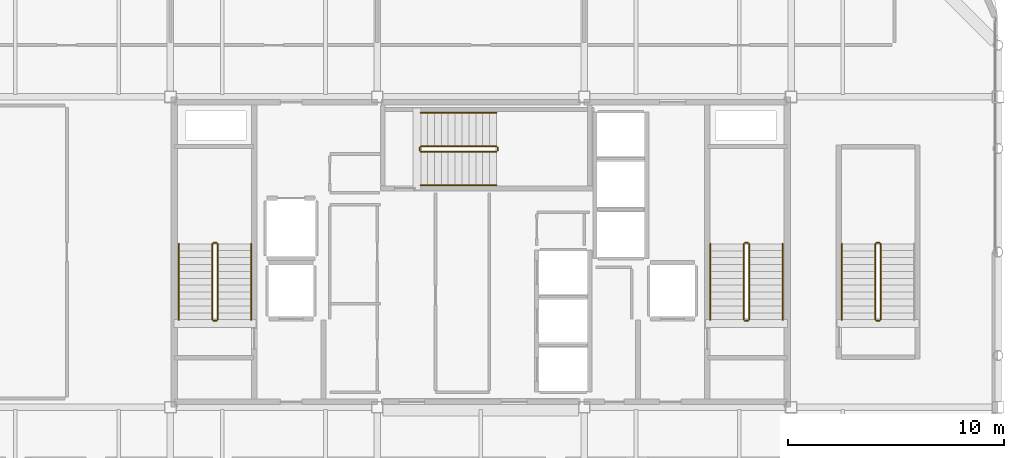
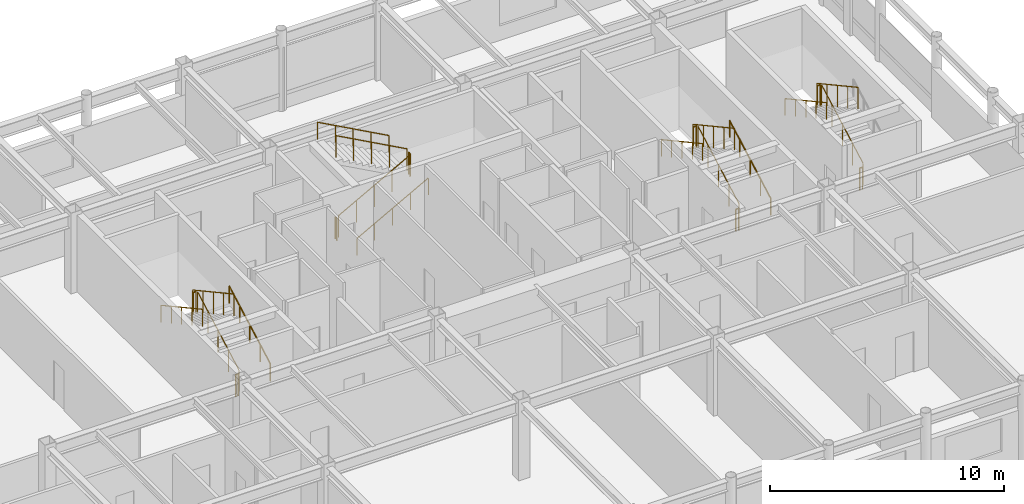
# One storey, part 20 of 21: 23 railings.
"""IFC4 building model written with IfcOpenShell, lengths in metres."""

from ifc_helpers import new_model, si_unit, direction, frame, origin, origin_2d, place, context, subcontext, project, spatial, circle, extrude, material, layer, layer_set, type_object, element, save


model = new_model("IFC4")

# Units and contexts
model_context = context("Model", 3, precision=1e-05, world=origin(), true_north=direction((0.0, 1.0)))
body_context = subcontext(model_context, "Body", "Model", "MODEL_VIEW")
ifc_project = project(units=[si_unit("LENGTHUNIT", "METRE"), si_unit("AREAUNIT", "SQUARE_METRE"), si_unit("VOLUMEUNIT", "CUBIC_METRE"), si_unit("PLANEANGLEUNIT", "RADIAN"), si_unit("MASSUNIT", "GRAM", prefix="KILO")], contexts=[model_context])

# Site, building, storey
site_placement = place(None, origin())
site = spatial("IfcSite", under=ifc_project, at=site_placement, CompositionType="ELEMENT")
building_placement = place(site_placement, origin())
building = spatial("IfcBuilding", under=site, at=building_placement, Name="Kallvorn Hotel Tower", CompositionType="ELEMENT")
storey_placement = place(building_placement, frame((0.0, 0.0, 286.39990234375)))
storey = spatial("IfcBuildingStorey", under=building, at=storey_placement, Name="L71", CompositionType="ELEMENT", Elevation=286.39990234375)

# Railings
ifc_material_1 = material(Name="Brushed stainless-steel tubular railing", Category="steel")
ifc_layer_1 = layer(ifc_material_1, 0.050048828125)
ifc_layer_set_1 = layer_set([ifc_layer_1], Name="RL_STAIR_GUARD")
railing_type_1 = type_object("IfcRailingType", Name="RL_STAIR_GUARD", PredefinedType="GUARDRAIL", material=ifc_layer_set_1)
railing_1_placement = place(storey_placement, frame((-12.2099609375, -3.139892578125, 0.175048828125)))
element("IfcRailing", 1, at=railing_1_placement, inside=storey, type_object=railing_type_1, Name="L71 ST1 stair guard 1", PredefinedType="GUARDRAIL", context=body_context, shape_type="SweptSolid", body=[
    extrude(circle(Radius=0.02392578125, at=origin_2d()), frame((0.0, 0.0, 1.1259765625), z_axis=(0.0, 0.877353125902, 0.479845279721), x_axis=(-1.0, 0.0, 0.0)), (0.0, 0.0, 1.0), 4.01171875),
    extrude(circle(Radius=0.02099609375, at=origin_2d()), origin(), (0.0, 0.0, 1.0), 1.101806640625),
    extrude(circle(Radius=0.02099609375, at=origin_2d()), frame((0.0, 0.8798828125, 0.481201171875)), (0.0, 0.0, 1.0), 1.101806640625),
    extrude(circle(Radius=0.02099609375, at=origin_2d()), frame((0.0, 1.759765625, 0.96240234375)), (0.0, 0.0, 1.0), 1.101806640625),
    extrude(circle(Radius=0.02099609375, at=origin_2d()), frame((0.0, 2.639892578125, 1.44384765625)), (0.0, 0.0, 1.0), 1.101806640625),
    extrude(circle(Radius=0.02099609375, at=origin_2d()), frame((0.0, 3.519775390625, 1.925048828125)), (0.0, 0.0, 1.0), 1.101806640625),
])
railing_2_placement = place(storey_placement, frame((-12.260009765625, 0.429931640625, 2.10009765625)))
element("IfcRailing", 2, at=railing_2_placement, inside=storey, type_object=railing_type_1, Name="L71 ST1 stair guard 2", PredefinedType="GUARDRAIL", context=body_context, shape_type="SweptSolid", body=[
    extrude(circle(Radius=0.02392578125, at=origin_2d()), frame((0.0, 0.0, 1.1259765625), z_axis=(-1.0, 0.0, 0.0), x_axis=(0.0, -1.0, 0.0)), (0.0, 0.0, 1.0), 0.139892578125),
    extrude(circle(Radius=0.02099609375, at=origin_2d()), origin(), (0.0, 0.0, 1.0), 1.101806640625),
    extrude(circle(Radius=0.02099609375, at=origin_2d()), frame((-0.139892578125, 0.0, 0.0)), (0.0, 0.0, 1.0), 1.101806640625),
])
railing_3_placement = place(storey_placement, frame((-12.449951171875, 0.3798828125, 2.275146484375)))
element("IfcRailing", 3, at=railing_3_placement, inside=storey, type_object=railing_type_1, Name="L71 ST1 stair guard 3", PredefinedType="GUARDRAIL", context=body_context, shape_type="SweptSolid", body=[
    extrude(circle(Radius=0.02392578125, at=origin_2d()), frame((0.0, 0.0, 1.1259765625), z_axis=(0.0, -0.877353125902, 0.479845279721), x_axis=(1.0, 0.0, 0.0)), (0.0, 0.0, 1.0), 4.01171875),
    extrude(circle(Radius=0.02099609375, at=origin_2d()), origin(), (0.0, 0.0, 1.0), 1.101806640625),
    extrude(circle(Radius=0.02099609375, at=origin_2d()), frame((0.0, -0.8798828125, 0.481201171875)), (0.0, 0.0, 1.0), 1.101806640625),
    extrude(circle(Radius=0.02099609375, at=origin_2d()), frame((0.0, -1.759765625, 0.96240234375)), (0.0, 0.0, 1.0), 1.101806640625),
    extrude(circle(Radius=0.02099609375, at=origin_2d()), frame((0.0, -2.639892578125, 1.44384765625)), (0.0, 0.0, 1.0), 1.101806640625),
    extrude(circle(Radius=0.02099609375, at=origin_2d()), frame((0.0, -3.519775390625, 1.925048828125)), (0.0, 0.0, 1.0), 1.101806640625),
])
railing_4_placement = place(storey_placement, frame((-12.260009765625, -3.18994140625, 0.0)))
element("IfcRailing", 4, at=railing_4_placement, inside=storey, type_object=railing_type_1, Name="L71 ST1 stair guard 4", PredefinedType="GUARDRAIL", context=body_context, shape_type="SweptSolid", body=[
    extrude(circle(Radius=0.02392578125, at=origin_2d()), frame((0.0, 0.0, 1.1259765625), z_axis=(-1.0, 0.0, 0.0), x_axis=(0.0, -1.0, 0.0)), (0.0, 0.0, 1.0), 0.139892578125),
    extrude(circle(Radius=0.02099609375, at=origin_2d()), origin(), (0.0, 0.0, 1.0), 1.101806640625),
    extrude(circle(Radius=0.02099609375, at=origin_2d()), frame((-0.139892578125, 0.0, 0.0)), (0.0, 0.0, 1.0), 1.101806640625),
])
railing_5_placement = place(storey_placement, frame((12.449951171875, -3.139892578125, 0.175048828125)))
element("IfcRailing", 5, at=railing_5_placement, inside=storey, type_object=railing_type_1, Name="L71 ST2 stair guard 1", PredefinedType="GUARDRAIL", context=body_context, shape_type="SweptSolid", body=[
    extrude(circle(Radius=0.02392578125, at=origin_2d()), frame((0.0, 0.0, 1.1259765625), z_axis=(0.0, 0.877353125902, 0.479845279721), x_axis=(-1.0, 0.0, 0.0)), (0.0, 0.0, 1.0), 4.01171875),
    extrude(circle(Radius=0.02099609375, at=origin_2d()), origin(), (0.0, 0.0, 1.0), 1.101806640625),
    extrude(circle(Radius=0.02099609375, at=origin_2d()), frame((0.0, 0.8798828125, 0.481201171875)), (0.0, 0.0, 1.0), 1.101806640625),
    extrude(circle(Radius=0.02099609375, at=origin_2d()), frame((0.0, 1.759765625, 0.96240234375)), (0.0, 0.0, 1.0), 1.101806640625),
    extrude(circle(Radius=0.02099609375, at=origin_2d()), frame((0.0, 2.639892578125, 1.44384765625)), (0.0, 0.0, 1.0), 1.101806640625),
    extrude(circle(Radius=0.02099609375, at=origin_2d()), frame((0.0, 3.519775390625, 1.925048828125)), (0.0, 0.0, 1.0), 1.101806640625),
])
railing_6_placement = place(storey_placement, frame((12.39990234375, 0.429931640625, 2.10009765625)))
element("IfcRailing", 6, at=railing_6_placement, inside=storey, type_object=railing_type_1, Name="L71 ST2 stair guard 2", PredefinedType="GUARDRAIL", context=body_context, shape_type="SweptSolid", body=[
    extrude(circle(Radius=0.02392578125, at=origin_2d()), frame((0.0, 0.0, 1.1259765625), z_axis=(-1.0, 0.0, 0.0), x_axis=(0.0, -1.0, 0.0)), (0.0, 0.0, 1.0), 0.139892578125),
    extrude(circle(Radius=0.02099609375, at=origin_2d()), origin(), (0.0, 0.0, 1.0), 1.101806640625),
    extrude(circle(Radius=0.02099609375, at=origin_2d()), frame((-0.139892578125, 0.0, 0.0)), (0.0, 0.0, 1.0), 1.101806640625),
])
railing_7_placement = place(storey_placement, frame((12.2099609375, 0.3798828125, 2.275146484375)))
element("IfcRailing", 7, at=railing_7_placement, inside=storey, type_object=railing_type_1, Name="L71 ST2 stair guard 3", PredefinedType="GUARDRAIL", context=body_context, shape_type="SweptSolid", body=[
    extrude(circle(Radius=0.02392578125, at=origin_2d()), frame((0.0, 0.0, 1.1259765625), z_axis=(0.0, -0.877353125902, 0.479845279721), x_axis=(1.0, 0.0, 0.0)), (0.0, 0.0, 1.0), 4.01171875),
    extrude(circle(Radius=0.02099609375, at=origin_2d()), origin(), (0.0, 0.0, 1.0), 1.101806640625),
    extrude(circle(Radius=0.02099609375, at=origin_2d()), frame((0.0, -0.8798828125, 0.481201171875)), (0.0, 0.0, 1.0), 1.101806640625),
    extrude(circle(Radius=0.02099609375, at=origin_2d()), frame((0.0, -1.759765625, 0.96240234375)), (0.0, 0.0, 1.0), 1.101806640625),
    extrude(circle(Radius=0.02099609375, at=origin_2d()), frame((0.0, -2.639892578125, 1.44384765625)), (0.0, 0.0, 1.0), 1.101806640625),
    extrude(circle(Radius=0.02099609375, at=origin_2d()), frame((0.0, -3.519775390625, 1.925048828125)), (0.0, 0.0, 1.0), 1.101806640625),
])
railing_8_placement = place(storey_placement, frame((12.39990234375, -3.18994140625, 0.0)))
element("IfcRailing", 8, at=railing_8_placement, inside=storey, type_object=railing_type_1, Name="L71 ST2 stair guard 4", PredefinedType="GUARDRAIL", context=body_context, shape_type="SweptSolid", body=[
    extrude(circle(Radius=0.02392578125, at=origin_2d()), frame((0.0, 0.0, 1.1259765625), z_axis=(-1.0, 0.0, 0.0), x_axis=(0.0, -1.0, 0.0)), (0.0, 0.0, 1.0), 0.139892578125),
    extrude(circle(Radius=0.02099609375, at=origin_2d()), origin(), (0.0, 0.0, 1.0), 1.101806640625),
    extrude(circle(Radius=0.02099609375, at=origin_2d()), frame((-0.139892578125, 0.0, 0.0)), (0.0, 0.0, 1.0), 1.101806640625),
])
railing_9_placement = place(storey_placement, frame((-2.7900390625, 4.659912109375, 0.175048828125)))
element("IfcRailing", 9, at=railing_9_placement, inside=storey, type_object=railing_type_1, Name="L71 ST3 stair guard 1", PredefinedType="GUARDRAIL", context=body_context, shape_type="SweptSolid", body=[
    extrude(circle(Radius=0.02392578125, at=origin_2d()), frame((0.0, 0.0, 1.1259765625), z_axis=(0.877367136839, 0.0, 0.479819661117), x_axis=(0.0, 1.0, 0.0)), (0.0, 0.0, 1.0), 4.011962890625),
    extrude(circle(Radius=0.02099609375, at=origin_2d()), origin(), (0.0, 0.0, 1.0), 1.101806640625),
    extrude(circle(Radius=0.02099609375, at=origin_2d()), frame((0.8798828125, 0.0, 0.481201171875)), (0.0, 0.0, 1.0), 1.101806640625),
    extrude(circle(Radius=0.02099609375, at=origin_2d()), frame((1.760009765625, 0.0, 0.96240234375)), (0.0, 0.0, 1.0), 1.101806640625),
    extrude(circle(Radius=0.02099609375, at=origin_2d()), frame((2.64013671875, 0.0, 1.44384765625)), (0.0, 0.0, 1.0), 1.101806640625),
    extrude(circle(Radius=0.02099609375, at=origin_2d()), frame((3.52001953125, 0.0, 1.925048828125)), (0.0, 0.0, 1.0), 1.101806640625),
])
railing_10_placement = place(storey_placement, frame((0.780029296875, 4.7099609375, 2.10009765625)))
element("IfcRailing", 10, at=railing_10_placement, inside=storey, type_object=railing_type_1, Name="L71 ST3 stair guard 2", PredefinedType="GUARDRAIL", context=body_context, shape_type="SweptSolid", body=[
    extrude(circle(Radius=0.02392578125, at=origin_2d()), frame((0.0, 0.0, 1.1259765625), z_axis=(0.0, 1.0, 0.0), x_axis=(-1.0, 0.0, 0.0)), (0.0, 0.0, 1.0), 0.14013671875),
    extrude(circle(Radius=0.02099609375, at=origin_2d()), origin(), (0.0, 0.0, 1.0), 1.101806640625),
    extrude(circle(Radius=0.02099609375, at=origin_2d()), frame((0.0, 0.14013671875, 0.0)), (0.0, 0.0, 1.0), 1.101806640625),
])
railing_11_placement = place(storey_placement, frame((0.72998046875, 4.89990234375, 2.275146484375)))
element("IfcRailing", 11, at=railing_11_placement, inside=storey, type_object=railing_type_1, Name="L71 ST3 stair guard 3", PredefinedType="GUARDRAIL", context=body_context, shape_type="SweptSolid", body=[
    extrude(circle(Radius=0.02392578125, at=origin_2d()), frame((0.0, 0.0, 1.1259765625), z_axis=(-0.877367136839, 0.0, 0.479819661117), x_axis=(0.0, -1.0, 0.0)), (0.0, 0.0, 1.0), 4.011962890625),
    extrude(circle(Radius=0.02099609375, at=origin_2d()), origin(), (0.0, 0.0, 1.0), 1.101806640625),
    extrude(circle(Radius=0.02099609375, at=origin_2d()), frame((-0.8798828125, 0.0, 0.481201171875)), (0.0, 0.0, 1.0), 1.101806640625),
    extrude(circle(Radius=0.02099609375, at=origin_2d()), frame((-1.760009765625, 0.0, 0.96240234375)), (0.0, 0.0, 1.0), 1.101806640625),
    extrude(circle(Radius=0.02099609375, at=origin_2d()), frame((-2.64013671875, 0.0, 1.44384765625)), (0.0, 0.0, 1.0), 1.101806640625),
    extrude(circle(Radius=0.02099609375, at=origin_2d()), frame((-3.52001953125, 0.0, 1.925048828125)), (0.0, 0.0, 1.0), 1.101806640625),
])
railing_12_placement = place(storey_placement, frame((-2.840087890625, 4.7099609375, 0.0)))
element("IfcRailing", 12, at=railing_12_placement, inside=storey, type_object=railing_type_1, Name="L71 ST3 stair guard 4", PredefinedType="GUARDRAIL", context=body_context, shape_type="SweptSolid", body=[
    extrude(circle(Radius=0.02392578125, at=origin_2d()), frame((0.0, 0.0, 1.1259765625), z_axis=(0.0, 1.0, 0.0), x_axis=(-1.0, 0.0, 0.0)), (0.0, 0.0, 1.0), 0.14013671875),
    extrude(circle(Radius=0.02099609375, at=origin_2d()), origin(), (0.0, 0.0, 1.0), 1.101806640625),
    extrude(circle(Radius=0.02099609375, at=origin_2d()), frame((0.0, 0.14013671875, 0.0)), (0.0, 0.0, 1.0), 1.101806640625),
])
railing_13_placement = place(storey_placement, frame((18.550048828125, -3.139892578125, 0.175048828125)))
element("IfcRailing", 13, at=railing_13_placement, inside=storey, type_object=railing_type_1, Name="L71 ST4 stair guard 1", PredefinedType="GUARDRAIL", context=body_context, shape_type="SweptSolid", body=[
    extrude(circle(Radius=0.02392578125, at=origin_2d()), frame((0.0, 0.0, 1.1259765625), z_axis=(0.0, 0.877353125902, 0.479845279721), x_axis=(-1.0, 0.0, 0.0)), (0.0, 0.0, 1.0), 4.01171875),
    extrude(circle(Radius=0.02099609375, at=origin_2d()), origin(), (0.0, 0.0, 1.0), 1.101806640625),
    extrude(circle(Radius=0.02099609375, at=origin_2d()), frame((0.0, 0.8798828125, 0.481201171875)), (0.0, 0.0, 1.0), 1.101806640625),
    extrude(circle(Radius=0.02099609375, at=origin_2d()), frame((0.0, 1.759765625, 0.96240234375)), (0.0, 0.0, 1.0), 1.101806640625),
    extrude(circle(Radius=0.02099609375, at=origin_2d()), frame((0.0, 2.639892578125, 1.44384765625)), (0.0, 0.0, 1.0), 1.101806640625),
    extrude(circle(Radius=0.02099609375, at=origin_2d()), frame((0.0, 3.519775390625, 1.925048828125)), (0.0, 0.0, 1.0), 1.101806640625),
])
railing_14_placement = place(storey_placement, frame((18.5, 0.429931640625, 2.10009765625)))
element("IfcRailing", 14, at=railing_14_placement, inside=storey, type_object=railing_type_1, Name="L71 ST4 stair guard 2", PredefinedType="GUARDRAIL", context=body_context, shape_type="SweptSolid", body=[
    extrude(circle(Radius=0.02392578125, at=origin_2d()), frame((0.0, 0.0, 1.1259765625), z_axis=(-1.0, 0.0, 0.0), x_axis=(0.0, -1.0, 0.0)), (0.0, 0.0, 1.0), 0.139892578125),
    extrude(circle(Radius=0.02099609375, at=origin_2d()), origin(), (0.0, 0.0, 1.0), 1.101806640625),
    extrude(circle(Radius=0.02099609375, at=origin_2d()), frame((-0.139892578125, 0.0, 0.0)), (0.0, 0.0, 1.0), 1.101806640625),
])
railing_15_placement = place(storey_placement, frame((18.31005859375, 0.3798828125, 2.275146484375)))
element("IfcRailing", 15, at=railing_15_placement, inside=storey, type_object=railing_type_1, Name="L71 ST4 stair guard 3", PredefinedType="GUARDRAIL", context=body_context, shape_type="SweptSolid", body=[
    extrude(circle(Radius=0.02392578125, at=origin_2d()), frame((0.0, 0.0, 1.1259765625), z_axis=(0.0, -0.877353125902, 0.479845279721), x_axis=(1.0, 0.0, 0.0)), (0.0, 0.0, 1.0), 4.01171875),
    extrude(circle(Radius=0.02099609375, at=origin_2d()), origin(), (0.0, 0.0, 1.0), 1.101806640625),
    extrude(circle(Radius=0.02099609375, at=origin_2d()), frame((0.0, -0.8798828125, 0.481201171875)), (0.0, 0.0, 1.0), 1.101806640625),
    extrude(circle(Radius=0.02099609375, at=origin_2d()), frame((0.0, -1.759765625, 0.96240234375)), (0.0, 0.0, 1.0), 1.101806640625),
    extrude(circle(Radius=0.02099609375, at=origin_2d()), frame((0.0, -2.639892578125, 1.44384765625)), (0.0, 0.0, 1.0), 1.101806640625),
    extrude(circle(Radius=0.02099609375, at=origin_2d()), frame((0.0, -3.519775390625, 1.925048828125)), (0.0, 0.0, 1.0), 1.101806640625),
])
railing_16_placement = place(storey_placement, frame((18.5, -3.18994140625, 0.0)))
element("IfcRailing", 16, at=railing_16_placement, inside=storey, type_object=railing_type_1, Name="L71 ST4 stair guard 4", PredefinedType="GUARDRAIL", context=body_context, shape_type="SweptSolid", body=[
    extrude(circle(Radius=0.02392578125, at=origin_2d()), frame((0.0, 0.0, 1.1259765625), z_axis=(-1.0, 0.0, 0.0), x_axis=(0.0, -1.0, 0.0)), (0.0, 0.0, 1.0), 0.139892578125),
    extrude(circle(Radius=0.02099609375, at=origin_2d()), origin(), (0.0, 0.0, 1.0), 1.101806640625),
    extrude(circle(Radius=0.02099609375, at=origin_2d()), frame((-0.139892578125, 0.0, 0.0)), (0.0, 0.0, 1.0), 1.101806640625),
])
ifc_material_2 = material(Name="Brushed stainless-steel tubular railing", Category="steel")
ifc_layer_2 = layer(ifc_material_2, 0.050048828125)
ifc_layer_set_2 = layer_set([ifc_layer_2], Name="RL_STAIR_HAND")
railing_type_2 = type_object("IfcRailingType", Name="RL_STAIR_HAND", PredefinedType="HANDRAIL", material=ifc_layer_set_2)
railing_17_placement = place(storey_placement, frame((-10.64990234375, -3.139892578125, 0.175048828125)))
element("IfcRailing", 17, at=railing_17_placement, inside=storey, type_object=railing_type_2, Name="L71 ST1 stair handrail 1", PredefinedType="HANDRAIL", context=body_context, shape_type="SweptSolid", body=[
    extrude(circle(Radius=0.02392578125, at=origin_2d()), frame((0.0, 0.0, 0.8759765625), z_axis=(0.0, 0.877353125902, 0.479845279721), x_axis=(-1.0, 0.0, 0.0)), (0.0, 0.0, 1.0), 4.01171875),
    extrude(circle(Radius=0.02099609375, at=origin_2d()), origin(), (0.0, 0.0, 1.0), 0.851806640625),
    extrude(circle(Radius=0.02099609375, at=origin_2d()), frame((0.0, 0.8798828125, 0.481201171875)), (0.0, 0.0, 1.0), 0.851806640625),
    extrude(circle(Radius=0.02099609375, at=origin_2d()), frame((0.0, 1.759765625, 0.96240234375)), (0.0, 0.0, 1.0), 0.851806640625),
    extrude(circle(Radius=0.02099609375, at=origin_2d()), frame((0.0, 2.639892578125, 1.44384765625)), (0.0, 0.0, 1.0), 0.851806640625),
    extrude(circle(Radius=0.02099609375, at=origin_2d()), frame((0.0, 3.519775390625, 1.925048828125)), (0.0, 0.0, 1.0), 0.851806640625),
])
railing_18_placement = place(storey_placement, frame((-14.010009765625, 0.3798828125, 2.275146484375)))
element("IfcRailing", 18, at=railing_18_placement, inside=storey, type_object=railing_type_2, Name="L71 ST1 stair handrail 2", PredefinedType="HANDRAIL", context=body_context, shape_type="SweptSolid", body=[
    extrude(circle(Radius=0.02392578125, at=origin_2d()), frame((0.0, 0.0, 0.8759765625), z_axis=(0.0, -0.877353125902, 0.479845279721), x_axis=(1.0, 0.0, 0.0)), (0.0, 0.0, 1.0), 4.01171875),
    extrude(circle(Radius=0.02099609375, at=origin_2d()), origin(), (0.0, 0.0, 1.0), 0.851806640625),
    extrude(circle(Radius=0.02099609375, at=origin_2d()), frame((0.0, -0.8798828125, 0.481201171875)), (0.0, 0.0, 1.0), 0.851806640625),
    extrude(circle(Radius=0.02099609375, at=origin_2d()), frame((0.0, -1.759765625, 0.96240234375)), (0.0, 0.0, 1.0), 0.851806640625),
    extrude(circle(Radius=0.02099609375, at=origin_2d()), frame((0.0, -2.639892578125, 1.44384765625)), (0.0, 0.0, 1.0), 0.851806640625),
    extrude(circle(Radius=0.02099609375, at=origin_2d()), frame((0.0, -3.519775390625, 1.925048828125)), (0.0, 0.0, 1.0), 0.851806640625),
])
railing_19_placement = place(storey_placement, frame((14.010009765625, -3.139892578125, 0.175048828125)))
element("IfcRailing", 19, at=railing_19_placement, inside=storey, type_object=railing_type_2, Name="L71 ST2 stair handrail 1", PredefinedType="HANDRAIL", context=body_context, shape_type="SweptSolid", body=[
    extrude(circle(Radius=0.02392578125, at=origin_2d()), frame((0.0, 0.0, 0.8759765625), z_axis=(0.0, 0.877353125902, 0.479845279721), x_axis=(-1.0, 0.0, 0.0)), (0.0, 0.0, 1.0), 4.01171875),
    extrude(circle(Radius=0.02099609375, at=origin_2d()), origin(), (0.0, 0.0, 1.0), 0.851806640625),
    extrude(circle(Radius=0.02099609375, at=origin_2d()), frame((0.0, 0.8798828125, 0.481201171875)), (0.0, 0.0, 1.0), 0.851806640625),
    extrude(circle(Radius=0.02099609375, at=origin_2d()), frame((0.0, 1.759765625, 0.96240234375)), (0.0, 0.0, 1.0), 0.851806640625),
    extrude(circle(Radius=0.02099609375, at=origin_2d()), frame((0.0, 2.639892578125, 1.44384765625)), (0.0, 0.0, 1.0), 0.851806640625),
    extrude(circle(Radius=0.02099609375, at=origin_2d()), frame((0.0, 3.519775390625, 1.925048828125)), (0.0, 0.0, 1.0), 0.851806640625),
])
railing_20_placement = place(storey_placement, frame((10.64990234375, 0.3798828125, 2.275146484375)))
element("IfcRailing", 20, at=railing_20_placement, inside=storey, type_object=railing_type_2, Name="L71 ST2 stair handrail 2", PredefinedType="HANDRAIL", context=body_context, shape_type="SweptSolid", body=[
    extrude(circle(Radius=0.02392578125, at=origin_2d()), frame((0.0, 0.0, 0.8759765625), z_axis=(0.0, -0.877353125902, 0.479845279721), x_axis=(1.0, 0.0, 0.0)), (0.0, 0.0, 1.0), 4.01171875),
    extrude(circle(Radius=0.02099609375, at=origin_2d()), origin(), (0.0, 0.0, 1.0), 0.851806640625),
    extrude(circle(Radius=0.02099609375, at=origin_2d()), frame((0.0, -0.8798828125, 0.481201171875)), (0.0, 0.0, 1.0), 0.851806640625),
    extrude(circle(Radius=0.02099609375, at=origin_2d()), frame((0.0, -1.759765625, 0.96240234375)), (0.0, 0.0, 1.0), 0.851806640625),
    extrude(circle(Radius=0.02099609375, at=origin_2d()), frame((0.0, -2.639892578125, 1.44384765625)), (0.0, 0.0, 1.0), 0.851806640625),
    extrude(circle(Radius=0.02099609375, at=origin_2d()), frame((0.0, -3.519775390625, 1.925048828125)), (0.0, 0.0, 1.0), 0.851806640625),
])
railing_21_placement = place(storey_placement, frame((-2.7900390625, 3.10009765625, 0.175048828125)))
element("IfcRailing", 21, at=railing_21_placement, inside=storey, type_object=railing_type_2, Name="L71 ST3 stair handrail 1", PredefinedType="HANDRAIL", context=body_context, shape_type="SweptSolid", body=[
    extrude(circle(Radius=0.02392578125, at=origin_2d()), frame((0.0, 0.0, 0.8759765625), z_axis=(0.877367136839, 0.0, 0.479819661117), x_axis=(0.0, 1.0, 0.0)), (0.0, 0.0, 1.0), 4.011962890625),
    extrude(circle(Radius=0.02099609375, at=origin_2d()), origin(), (0.0, 0.0, 1.0), 0.851806640625),
    extrude(circle(Radius=0.02099609375, at=origin_2d()), frame((0.8798828125, 0.0, 0.481201171875)), (0.0, 0.0, 1.0), 0.851806640625),
    extrude(circle(Radius=0.02099609375, at=origin_2d()), frame((1.760009765625, 0.0, 0.96240234375)), (0.0, 0.0, 1.0), 0.851806640625),
    extrude(circle(Radius=0.02099609375, at=origin_2d()), frame((2.64013671875, 0.0, 1.44384765625)), (0.0, 0.0, 1.0), 0.851806640625),
    extrude(circle(Radius=0.02099609375, at=origin_2d()), frame((3.52001953125, 0.0, 1.925048828125)), (0.0, 0.0, 1.0), 0.851806640625),
])
railing_22_placement = place(storey_placement, frame((0.72998046875, 6.4599609375, 2.275146484375)))
element("IfcRailing", 22, at=railing_22_placement, inside=storey, type_object=railing_type_2, Name="L71 ST3 stair handrail 2", PredefinedType="HANDRAIL", context=body_context, shape_type="SweptSolid", body=[
    extrude(circle(Radius=0.02392578125, at=origin_2d()), frame((0.0, 0.0, 0.8759765625), z_axis=(-0.877367136839, 0.0, 0.479819661117), x_axis=(0.0, -1.0, 0.0)), (0.0, 0.0, 1.0), 4.011962890625),
    extrude(circle(Radius=0.02099609375, at=origin_2d()), origin(), (0.0, 0.0, 1.0), 0.851806640625),
    extrude(circle(Radius=0.02099609375, at=origin_2d()), frame((-0.8798828125, 0.0, 0.481201171875)), (0.0, 0.0, 1.0), 0.851806640625),
    extrude(circle(Radius=0.02099609375, at=origin_2d()), frame((-1.760009765625, 0.0, 0.96240234375)), (0.0, 0.0, 1.0), 0.851806640625),
    extrude(circle(Radius=0.02099609375, at=origin_2d()), frame((-2.64013671875, 0.0, 1.44384765625)), (0.0, 0.0, 1.0), 0.851806640625),
    extrude(circle(Radius=0.02099609375, at=origin_2d()), frame((-3.52001953125, 0.0, 1.925048828125)), (0.0, 0.0, 1.0), 0.851806640625),
])
railing_23_placement = place(storey_placement, frame((16.75, 0.3798828125, 2.275146484375)))
element("IfcRailing", 23, at=railing_23_placement, inside=storey, type_object=railing_type_2, Name="L71 ST4 stair handrail 2", PredefinedType="HANDRAIL", context=body_context, shape_type="SweptSolid", body=[
    extrude(circle(Radius=0.02392578125, at=origin_2d()), frame((0.0, 0.0, 0.8759765625), z_axis=(0.0, -0.877353125902, 0.479845279721), x_axis=(1.0, 0.0, 0.0)), (0.0, 0.0, 1.0), 4.01171875),
    extrude(circle(Radius=0.02099609375, at=origin_2d()), origin(), (0.0, 0.0, 1.0), 0.851806640625),
    extrude(circle(Radius=0.02099609375, at=origin_2d()), frame((0.0, -0.8798828125, 0.481201171875)), (0.0, 0.0, 1.0), 0.851806640625),
    extrude(circle(Radius=0.02099609375, at=origin_2d()), frame((0.0, -1.759765625, 0.96240234375)), (0.0, 0.0, 1.0), 0.851806640625),
    extrude(circle(Radius=0.02099609375, at=origin_2d()), frame((0.0, -2.639892578125, 1.44384765625)), (0.0, 0.0, 1.0), 0.851806640625),
    extrude(circle(Radius=0.02099609375, at=origin_2d()), frame((0.0, -3.519775390625, 1.925048828125)), (0.0, 0.0, 1.0), 0.851806640625),
])

save(model, "model.ifc")
